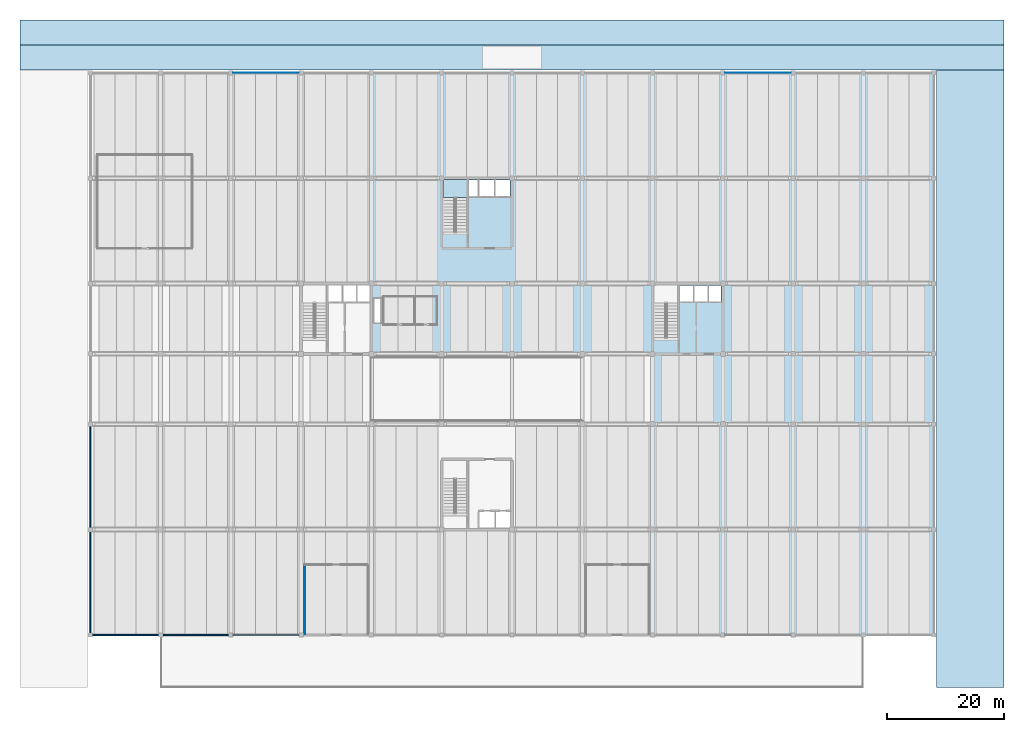
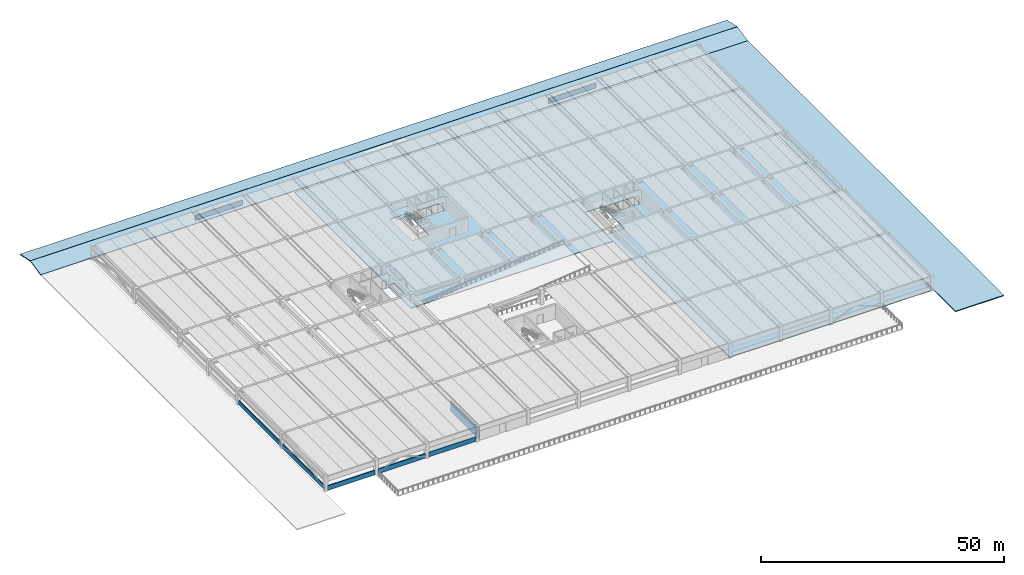
# One storey, part 6 of 16: 6 slabs, 6 walls, 2 plates, 1 element without a shape of its own.
"""IFC4 building model written with IfcOpenShell, lengths in metres."""

import ifcopenshell
import ifcopenshell.guid

model = None  # the IFC model being written
_history = None  # IfcOwnerHistory: only IFC2X3 demands one
_inside = {}  # id of a spatial element -> (the spatial element, [elements in it])
_under = {}  # id of a project, library or spatial element -> (it, [spatial elements below it])
_declared = {}  # id of a project -> (the project, [libraries it declares])
_typed = {}  # id of a type object -> (the type object, [elements of that type])
_made_of = {}  # id of a material, layer set ... -> (it, [elements and type objects made of it])


def new_model(schema):
    """Start an empty IFC model of exactly this schema.

    Asked for "IFC4X3", IfcOpenShell would pick the latest addendum, in which some entities
    have other attributes; the version numbers below select the first issue.
    IFC2X3 requires an IfcOwnerHistory on every rooted entity: one is made here for all.
    """
    global model, _history
    if schema == "IFC4X3":
        model = ifcopenshell.file(schema_version=(4, 3, 0, 0))
    else:
        model = ifcopenshell.file(schema=schema)
    _inside.clear()
    _under.clear()
    _declared.clear()
    _typed.clear()
    _made_of.clear()
    _history = None
    if model.schema == "IFC2X3":
        org = make("IfcOrganization", Name="unknown")
        user = make(
            "IfcPersonAndOrganization",
            ThePerson=make("IfcPerson", FamilyName="unknown"),
            TheOrganization=org,
        )
        app = make(
            "IfcApplication",
            ApplicationDeveloper=org,
            Version="unknown",
            ApplicationFullName="unknown",
            ApplicationIdentifier="unknown",
        )
        _history = make(
            "IfcOwnerHistory",
            OwningUser=user,
            OwningApplication=app,
            ChangeAction="ADDED",
            CreationDate=0,
        )
    return model


def make(cls, **values):
    """One entity of the class cls with the attributes given. An attribute that is None is left unset."""
    return model.create_entity(
        cls, **{name: value for name, value in values.items() if value is not None}
    )


def rooted(cls, **values):
    """An entity with a GlobalId (a new one), such as an element, a storey or a relation."""
    return make(cls, GlobalId=ifcopenshell.guid.new(), OwnerHistory=_history, **values)


def si_unit(unit_type, name, prefix=None):
    """IfcSIUnit, for example si_unit("LENGTHUNIT", "METRE", prefix="MILLI")."""
    return make("IfcSIUnit", UnitType=unit_type, Prefix=prefix, Name=name)


def assignment(units):
    """IfcUnitAssignment: the units of a project."""
    return None if units is None else make("IfcUnitAssignment", Units=units)


def point(xyz):
    """IfcCartesianPoint."""
    return None if xyz is None else make("IfcCartesianPoint", Coordinates=xyz)


def direction(xyz):
    """IfcDirection."""
    return None if xyz is None else make("IfcDirection", DirectionRatios=xyz)


def frame(location, z_axis=None, x_axis=None):
    """IfcAxis2Placement3D, a coordinate frame: its origin and axes. An axis left out is left unset."""
    return make(
        "IfcAxis2Placement3D",
        Location=point(location),
        Axis=direction(z_axis),
        RefDirection=direction(x_axis),
    )


def frame_2d(location, x_axis=None):
    """IfcAxis2Placement2D, a coordinate frame in the plane: its origin and x axis."""
    return make(
        "IfcAxis2Placement2D", Location=point(location), RefDirection=direction(x_axis)
    )


def origin():
    """The frame at (0, 0, 0) with its axes left unset."""
    return frame((0.0, 0.0, 0.0))


def origin_2d():
    """The frame at (0, 0) in the plane with its x axis left unset."""
    return frame_2d((0.0, 0.0))


def place(relative_to, where):
    """IfcLocalPlacement: puts the frame where relative to a parent placement (None: the world)."""
    return make(
        "IfcLocalPlacement", PlacementRelTo=relative_to, RelativePlacement=where
    )


def context(
    kind, dimensions, precision=None, world=None, true_north=None, identifier=None
):
    """IfcGeometricRepresentationContext, for example the 3D "Model" context."""
    return make(
        "IfcGeometricRepresentationContext",
        ContextIdentifier=identifier,
        ContextType=kind,
        CoordinateSpaceDimension=dimensions,
        Precision=precision,
        WorldCoordinateSystem=world,
        TrueNorth=true_north,
    )


def subcontext(parent, identifier, kind, view, scale=None):
    """IfcGeometricRepresentationSubContext, for example "Body" below "Model"."""
    return make(
        "IfcGeometricRepresentationSubContext",
        ContextIdentifier=identifier,
        ContextType=kind,
        ParentContext=parent,
        TargetScale=scale,
        TargetView=view,
    )


def project(units=None, contexts=None):
    """IfcProject with its units and contexts."""
    return rooted(
        "IfcProject",
        Name="project",
        RepresentationContexts=contexts,
        UnitsInContext=assignment(units),
    )


def spatial(cls, under=None, at=None, **own):
    """A site, building, storey or space (cls), placed at a placement, below another one or the project."""
    s = rooted(cls, ObjectPlacement=at, **own)
    if under is not None:
        _under.setdefault(under.id(), (under, []))[1].append(s)
    return s


def polyline(points):
    """IfcPolyline through the points."""
    return make("IfcPolyline", Points=[point(p) for p in points])


def profile(cls, at=None, kind="AREA", **sizes):
    """A parametric profile (cls). Its sizes go by their IFC names, for example OverallWidth=200.0."""
    return make(cls, ProfileType=kind, Position=at, **sizes)


def rectangle(**sizes):
    """IfcRectangleProfileDef."""
    return profile("IfcRectangleProfileDef", **sizes)


def outline(outer, holes=None, kind="AREA"):
    """IfcArbitraryClosedProfileDef: a profile drawn as a closed curve; with holes, ...WithVoids."""
    if holes is None:
        return make("IfcArbitraryClosedProfileDef", ProfileType=kind, OuterCurve=outer)
    return make(
        "IfcArbitraryProfileDefWithVoids",
        ProfileType=kind,
        OuterCurve=outer,
        InnerCurves=holes,
    )


def extrude(swept, where, along, depth):
    """IfcExtrudedAreaSolid: the profile swept, set in the frame where, extruded along a direction by depth."""
    return make(
        "IfcExtrudedAreaSolid",
        SweptArea=swept,
        Position=where,
        ExtrudedDirection=direction(along),
        Depth=depth,
    )


def shape(context_of_items, identifier, shape_type, items):
    """IfcShapeRepresentation: the items that make up one representation, for example the "Body"."""
    return make(
        "IfcShapeRepresentation",
        ContextOfItems=context_of_items,
        RepresentationIdentifier=identifier,
        RepresentationType=shape_type,
        Items=items,
    )


def material(Name=None, Category=None):
    """IfcMaterial."""
    return make("IfcMaterial", Name=Name, Category=Category)


def layer(
    of_material, thickness, ventilated=None, Name=None, Category=None, Priority=None
):
    """IfcMaterialLayer: one layer of a wall or slab, of a material (None: an air gap)."""
    return make(
        "IfcMaterialLayer",
        Material=of_material,
        LayerThickness=thickness,
        IsVentilated=ventilated,
        Name=Name,
        Category=Category,
        Priority=Priority,
    )


def layer_set(layers, Name=None):
    """IfcMaterialLayerSet."""
    return make("IfcMaterialLayerSet", MaterialLayers=layers, LayerSetName=Name)


def made_of(thing, what):
    """Note that an element or type object is made of a material, layer set ...; save() writes the relation."""
    if what is not None:
        _made_of.setdefault(what.id(), (what, []))[1].append(thing)
    return thing


def type_object(cls, material=None, **own):
    """A type object (cls), such as IfcWallType, which elements share."""
    return made_of(rooted(cls, **own), material)


def element(
    cls,
    number,
    at=None,
    inside=None,
    cuts=None,
    type_object=None,
    material=None,
    context=None,
    identifier="Body",
    shape_type=None,
    held_by="IfcProductDefinitionShape",
    body=None,
    shapes=None,
    **own,
):
    """One element of the class cls, such as IfcWall. Its Tag is "e" and its number.

    at: its placement. inside: the storey or other place that contains it. cuts: it is an
    opening in that element (IfcRelVoidsElement). A single representation is given by context,
    identifier, shape_type and body (its items); several are given by shapes. held_by: the class
    of the entity that holds the representations. save() writes the other relations.
    """
    e = rooted(cls, Tag="e%d" % number, ObjectPlacement=at, **own)
    if body is not None:
        shapes = [shape(context, identifier, shape_type, body)]
    if shapes is not None:
        e.Representation = make(held_by, Representations=shapes)
    if inside is not None:
        _inside.setdefault(inside.id(), (inside, []))[1].append(e)
    if cuts is not None:
        rooted(
            "IfcRelVoidsElement", RelatingBuildingElement=cuts, RelatedOpeningElement=e
        )
    if type_object is not None:
        _typed.setdefault(type_object.id(), (type_object, []))[1].append(e)
    return made_of(e, material)


def aggregate(whole, parts):
    """IfcRelAggregates: a whole, such as a stair, and the parts it consists of."""
    return rooted("IfcRelAggregates", RelatingObject=whole, RelatedObjects=parts)


def save(model, path):
    """Write the relations noted so far, then the file.

    IfcRelAggregates (storeys below a building ...), IfcRelContainedInSpatialStructure (elements
    in a storey), IfcRelDefinesByType, IfcRelAssociatesMaterial and IfcRelDeclares: one each for
    every whole, place, type object, material and project.
    """
    for whole, parts in _under.values():
        aggregate(whole, parts)
    for where, things in _inside.values():
        rooted(
            "IfcRelContainedInSpatialStructure",
            RelatedElements=things,
            RelatingStructure=where,
        )
    for kind, things in _typed.values():
        rooted("IfcRelDefinesByType", RelatedObjects=things, RelatingType=kind)
    for what, things in _made_of.values():
        rooted("IfcRelAssociatesMaterial", RelatedObjects=things, RelatingMaterial=what)
    for by, libraries in _declared.values():
        rooted("IfcRelDeclares", RelatingContext=by, RelatedDefinitions=libraries)
    model.write(path)


model = new_model("IFC4")

# Units and contexts
model_context = context("Model", 3, precision=1e-05, world=origin(), true_north=direction((0.0, 1.0)))
body_context = subcontext(model_context, "Body", "Model", "MODEL_VIEW")
ifc_project = project(units=[si_unit("LENGTHUNIT", "METRE"), si_unit("AREAUNIT", "SQUARE_METRE"), si_unit("VOLUMEUNIT", "CUBIC_METRE"), si_unit("PLANEANGLEUNIT", "RADIAN"), si_unit("MASSUNIT", "GRAM", prefix="KILO")], contexts=[model_context])

# Site, building, storey
site_placement = place(None, origin())
site = spatial("IfcSite", under=ifc_project, at=site_placement, CompositionType="ELEMENT")
building_placement = place(site_placement, origin())
building = spatial("IfcBuilding", under=site, at=building_placement, Name="Girod Span Mobility Hub", CompositionType="ELEMENT")
storey_placement = place(building_placement, frame((0.0, 0.0, 21.0)))
storey = spatial("IfcBuildingStorey", under=building, at=storey_placement, Name="L05", CompositionType="ELEMENT", Elevation=21.0)

# Plates
ifc_material_1 = material(Name="Perforated Powder-Coated Aluminium Sheet", Category="aluminium")
ifc_layer_1 = layer(ifc_material_1, 0.035888671875)
ifc_layer_set_1 = layer_set([ifc_layer_1], Name="Perforated Powder-Coated Aluminium Sheet")
plate_type = type_object("IfcPlateType", Name="PLT-CLD-11254X1235X36", PredefinedType="USERDEFINED", material=ifc_layer_set_1)
for number, where, z_axis, x_axis, name in (
    (1, (42.0, 105.0, 1.14990234375), (0.0, 0.0, 1.0), (1.0, 0.0, 0.0), "Perforated Aluminium Cladding Panel N-4 L05"),
    (2, (126.0, 105.0, 1.14990234375), (0.0, 0.0, 1.0), (1.0, 0.0, 0.0), "Perforated Aluminium Cladding Panel N-11 L05"),
):
    element("IfcPlate", number, at=place(storey_placement, frame(where, z_axis=z_axis, x_axis=x_axis)), inside=storey, type_object=plate_type, Name=name, ObjectType="CLADDING", PredefinedType="USERDEFINED", context=body_context, shape_type="SweptSolid", body=[
        extrude(rectangle(XDim=11.25390625, YDim=0.035888671875, at=origin_2d()), origin(), (0.0, 0.0, 1.0), 1.235107421875),
    ])

# Slabs
ifc_material_2 = material(Name="Concrete C40/50", Category="concrete")
ifc_layer_2 = layer(ifc_material_2, 0.159912109375)
ifc_layer_set_2 = layer_set([ifc_layer_2], Name="Concrete C40/50")
slab_type_1 = type_object("IfcSlabType", Name="SL-FLR-160", PredefinedType="FLOOR", material=ifc_layer_set_2)
slab_1_placement = place(storey_placement, frame((0.0, 0.0, -0.159912109375)))
element("IfcSlab", 3, at=slab_1_placement, inside=storey, type_object=slab_type_1, Name="Floor Slab L05 Sector CN", PredefinedType="FLOOR", context=body_context, shape_type="SweptSolid", body=[
    extrude(outline(polyline([(108.0, 105.0), (108.0, 57.0), (60.0, 57.0), (60.0, 105.0), (108.0, 105.0)]), holes=[polyline([(60.449951171875, 66.449951171875), (60.449951171875, 62.35009765625), (61.47998046875, 62.35009765625), (61.47998046875, 66.449951171875), (60.449951171875, 66.449951171875)]), polyline([(72.219970703125, 86.820068359375), (72.219970703125, 77.8349609375), (76.340087890625, 77.8349609375), (76.340087890625, 86.820068359375), (72.219970703125, 86.820068359375)]), polyline([(76.64990234375, 86.64990234375), (76.64990234375, 83.949951171875), (78.14990234375, 83.949951171875), (78.14990234375, 86.64990234375), (76.64990234375, 86.64990234375)]), polyline([(80.949951171875, 86.64990234375), (78.39990234375, 86.64990234375), (78.39990234375, 83.949951171875), (80.949951171875, 83.949951171875), (80.949951171875, 86.64990234375)]), polyline([(83.64990234375, 86.64990234375), (81.199951171875, 86.64990234375), (81.199951171875, 83.949951171875), (83.64990234375, 83.949951171875), (83.64990234375, 86.64990234375)])]), origin(), (0.0, 0.0, 1.0), 0.159912109375),
])
slab_2_placement = place(storey_placement, frame((0.0, 0.0, -0.159912109375)))
element("IfcSlab", 4, at=slab_2_placement, inside=storey, type_object=slab_type_1, Name="Floor Slab L05 Sector E", PredefinedType="FLOOR", context=body_context, shape_type="SweptSolid", body=[
    extrude(outline(polyline([(156.0, 105.0), (156.0, 9.0), (108.0, 9.0), (108.0, 105.0), (156.0, 105.0)]), holes=[polyline([(108.219970703125, 68.820068359375), (108.219970703125, 59.8349609375), (112.340087890625, 59.8349609375), (112.340087890625, 68.820068359375), (108.219970703125, 68.820068359375)]), polyline([(112.64990234375, 68.64990234375), (112.64990234375, 65.949951171875), (114.949951171875, 65.949951171875), (114.949951171875, 68.64990234375), (112.64990234375, 68.64990234375)]), polyline([(115.199951171875, 68.64990234375), (115.199951171875, 65.949951171875), (117.35009765625, 65.949951171875), (117.35009765625, 68.64990234375), (115.199951171875, 68.64990234375)]), polyline([(117.60009765625, 68.64990234375), (117.60009765625, 65.949951171875), (119.64990234375, 65.949951171875), (119.64990234375, 68.64990234375), (117.60009765625, 68.64990234375)])]), origin(), (0.0, 0.0, 1.0), 0.159912109375),
])

# Stair, slab
ifc_material_3 = material(Name="Concrete C40/50", Category="concrete")
stair_type = type_object("IfcStairType", Name="STR-3800-W1860", PredefinedType="HALF_TURN_STAIR", material=ifc_material_3)
stair_placement = place(storey_placement, origin())
stair = element("IfcStair", 5, at=stair_placement, inside=storey, type_object=stair_type, Name="Exit Stair ST-4 L05", PredefinedType="HALF_TURN_STAIR")
ifc_material_4 = material(Name="Concrete C40/50", Category="concrete")
ifc_layer_3 = layer(ifc_material_4, 0.3798828125)
ifc_layer_set_3 = layer_set([ifc_layer_3], Name="Concrete C40/50")
slab_type_2 = type_object("IfcSlabType", Name="SL-LND-380", PredefinedType="LANDING", material=ifc_layer_set_3)
slab_3_placement = place(storey_placement, frame((0.0, 0.0, 1.52001953125)))
slab_3 = element("IfcSlab", 6, at=slab_3_placement, type_object=slab_type_2, Name="Stair ST-4 Half-Landing L05", PredefinedType="LANDING", context=body_context, shape_type="SweptSolid", body=[
    extrude(outline(polyline([(76.3349609375, 83.68603515625), (76.3349609375, 86.81005859375), (72.18994140625, 86.81005859375), (72.18994140625, 83.68603515625), (76.3349609375, 83.68603515625)])), origin(), (0.0, 0.0, 1.0), 0.3798828125),
])
aggregate(stair, [slab_3])

# Slabs
ifc_material_5 = material(Name="Concrete C40/50", Category="concrete")
ifc_layer_4 = layer(ifc_material_5, 0.219970703125)
ifc_layer_set_4 = layer_set([ifc_layer_4], Name="Concrete C40/50")
slab_type_3 = type_object("IfcSlabType", Name="SL-ROOF-220", PredefinedType="ROOF", material=ifc_layer_set_4)
for number, where, z_axis, x_axis, name in (
    (7, (0.0, 105.449951171875, 0.0), (0.0, -0.211217003058, 0.977439193822), (1.0, 0.0, 0.0), "Insulated Folded Setback Roof above L04 N Fold 1"),
    (8, (0.0, 109.742919921875, 0.919921875), (0.0, 0.211217003058, 0.977439193822), (1.0, 0.0, 0.0), "Insulated Folded Setback Roof above L04 N Fold 2"),
):
    element("IfcSlab", number, at=place(storey_placement, frame(where, z_axis=z_axis, x_axis=x_axis)), inside=storey, type_object=slab_type_3, Name=name, PredefinedType="ROOF", context=body_context, shape_type="SweptSolid", body=[
        extrude(outline(polyline([(0.0, 0.0), (168.0, 0.0), (168.0, 4.355340061082747), (0.0, 4.355340061082747), (0.0, 0.0)])), origin(), (0.0, 0.0, -1.0), 0.219970703125),
    ])
slab_4_placement = place(storey_placement, frame((0.0, 0.0, -0.219970703125)))
element("IfcSlab", 9, at=slab_4_placement, inside=storey, type_object=slab_type_3, Name="Insulated Setback Roof Slab above L04 E", PredefinedType="ROOF", context=body_context, shape_type="SweptSolid", body=[
    extrude(outline(polyline([(168.0, 0.0), (156.449951171875, 0.0), (156.449951171875, 8.550048828125), (156.449951171875, 105.449951171875), (168.0, 105.449951171875), (168.0, 0.0)])), origin(), (0.0, 0.0, 1.0), 0.219970703125),
])

# Walls
ifc_material_6 = material(Name="Precast Architectural Concrete C40/50", Category="concrete")
ifc_layer_5 = layer(ifc_material_6, 0.215087890625)
ifc_layer_set_5 = layer_set([ifc_layer_5], Name="Precast Architectural Concrete C40/50")
wall_type_1 = type_object("IfcWallType", Name="W-PAR-215", PredefinedType="PARAPET", material=ifc_layer_set_5)
for number, where, z_axis, x_axis, name in (
    (10, (12.373046875, 9.0, 0.0), (0.0, 0.0, 1.0), (1.0, 0.0, 0.0), "Precast Parking Barrier Parapet S-2 L05"),
    (11, (24.373046875, 9.0, 0.0), (0.0, 0.0, 1.0), (1.0, 0.0, 0.0), "Precast Parking Barrier Parapet S-3 L05"),
    (12, (36.373046875, 9.0, 0.0), (0.0, 0.0, 1.0), (1.0, 0.0, 0.0), "Precast Parking Barrier Parapet S-4 L05"),
):
    element("IfcWall", number, at=place(storey_placement, frame(where, z_axis=z_axis, x_axis=x_axis)), inside=storey, type_object=wall_type_1, Name=name, PredefinedType="PARAPET", context=body_context, shape_type="SweptSolid", body=[
        extrude(rectangle(XDim=11.25390625, YDim=0.215087890625, at=frame_2d((5.626953125, 0.0))), origin(), (0.0, 0.0, 1.0), 1.14990234375),
    ])
for number, where, z_axis, x_axis, name in (
    (13, (12.0, 9.373046875, 0.0), (0.0, 0.0, 1.0), (0.0, 1.0, 0.0), "Precast Side Barrier Parapet W-B-1 L05"),
    (14, (12.0, 27.373046875, 0.0), (0.0, 0.0, 1.0), (0.0, 1.0, 0.0), "Precast Side Barrier Parapet W-C-1 L05"),
):
    element("IfcWall", number, at=place(storey_placement, frame(where, z_axis=z_axis, x_axis=x_axis)), inside=storey, type_object=wall_type_1, Name=name, PredefinedType="PARAPET", context=body_context, shape_type="SweptSolid", body=[
        extrude(rectangle(XDim=17.25390625, YDim=0.215087890625, at=frame_2d((8.626953125, 0.0))), origin(), (0.0, 0.0, 1.0), 1.14990234375),
    ])
ifc_material_7 = material(Name="Fire-Rated Gypsum Board on Metal Studs", Category="gypsum")
ifc_layer_6 = layer(ifc_material_7, 0.139892578125)
ifc_layer_set_6 = layer_set([ifc_layer_6], Name="Fire-Rated Gypsum Board on Metal Studs")
wall_type_2 = type_object("IfcWallType", Name="W-PT-140", PredefinedType="PARTITIONING", material=ifc_layer_set_6)
wall_placement = place(storey_placement, frame((48.60009765625, 9.139892578125, 0.0), z_axis=(0.0, 0.0, 1.0), x_axis=(0.0, 1.0, 0.0)))
element("IfcWall", 15, at=wall_placement, inside=storey, type_object=wall_type_2, Name="Shared Mobility Lounge West Partition W", PredefinedType="PARTITIONING", context=body_context, shape_type="SweptSolid", body=[
    extrude(rectangle(XDim=11.7001953125, YDim=0.139892578125, at=frame_2d((5.85009765625, 0.0))), origin(), (0.0, 0.0, 1.0), 2.75),
])

save(model, "model.ifc")
